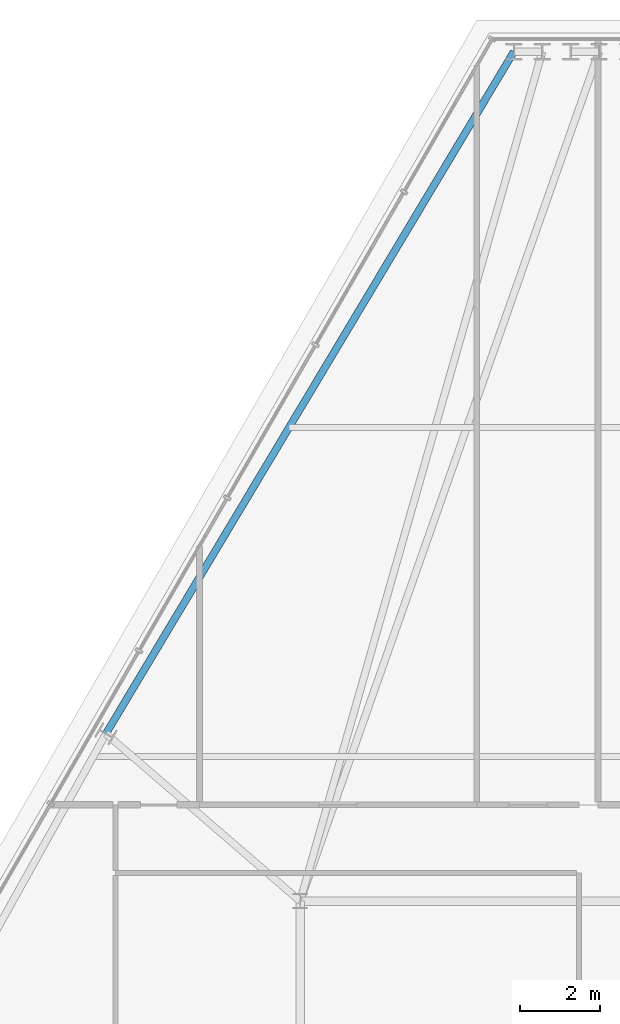
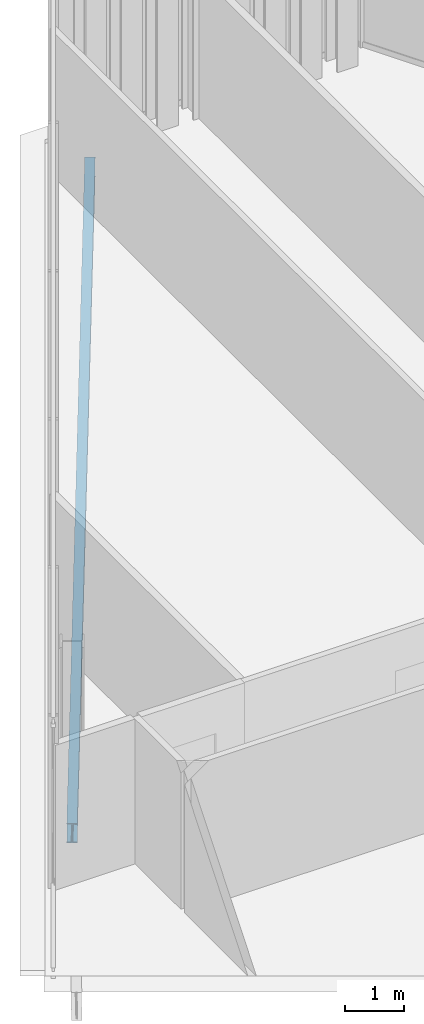
# One storey, part 14 of 32: 1 beam.
"""IFC4 building model written with IfcOpenShell, lengths in metres."""

from ifc_helpers import new_model, si_unit, direction, frame, origin, origin_2d, place, context, subcontext, project, spatial, i_section, extrude, material, material_profile, profile_set, type_object, element, save


model = new_model("IFC4")

# Units and contexts
model_context = context("Model", 3, precision=1e-05, world=origin(), true_north=direction((0.0, 1.0)))
body_context = subcontext(model_context, "Body", "Model", "MODEL_VIEW")
ifc_project = project(units=[si_unit("LENGTHUNIT", "METRE"), si_unit("AREAUNIT", "SQUARE_METRE"), si_unit("VOLUMEUNIT", "CUBIC_METRE"), si_unit("PLANEANGLEUNIT", "RADIAN"), si_unit("MASSUNIT", "GRAM", prefix="KILO")], contexts=[model_context])

# Site, building, storey
site_placement = place(None, origin())
site = spatial("IfcSite", under=ifc_project, at=site_placement, CompositionType="ELEMENT")
building_placement = place(site_placement, origin())
building = spatial("IfcBuilding", under=site, at=building_placement, Name="Ndaravel Arena Tower", CompositionType="ELEMENT")
storey_placement = place(building_placement, frame((0.0, 0.0, 252.199951171875)))
storey = spatial("IfcBuildingStorey", under=building, at=storey_placement, Name="L61", CompositionType="ELEMENT", Elevation=252.199951171875)

# Beam
ifc_material = material(Name="Steel S355", Category="steel")
ifc_material_profile = material_profile(ifc_material, i_section(OverallWidth=0.179931640625, OverallDepth=0.39990234375, WebThickness=0.008544921875, FlangeThickness=0.013427734375, FilletRadius=0.02099609375, at=origin_2d()), Name="IPE 400")
ifc_profile_set = profile_set([ifc_material_profile], Name="Steel S355")
beam_type = type_object("IfcBeamType", Name="BM-SPAN-IPE400", PredefinedType="SPANDREL", material=ifc_profile_set)
beam_placement = place(storey_placement, frame((39.524658203125, 44.359619140625, -0.419921875), z_axis=(-0.513329186299, -0.858191788876, 0.0), x_axis=(0.858191788876, -0.513329186299, 0.0)))
element("IfcBeam", 1, at=beam_placement, inside=storey, type_object=beam_type, Name="L61 Perimeter Spandrel Beam SP-18", PredefinedType="SPANDREL", context=body_context, shape_type="SweptSolid", body=[
    extrude(i_section(OverallWidth=0.179931640625, OverallDepth=0.39990234375, WebThickness=0.008544921875, FlangeThickness=0.013427734375, FilletRadius=0.02099609375, at=origin_2d()), origin(), (0.0, 0.0, 1.0), 19.79736328125),
])

save(model, "model.ifc")
